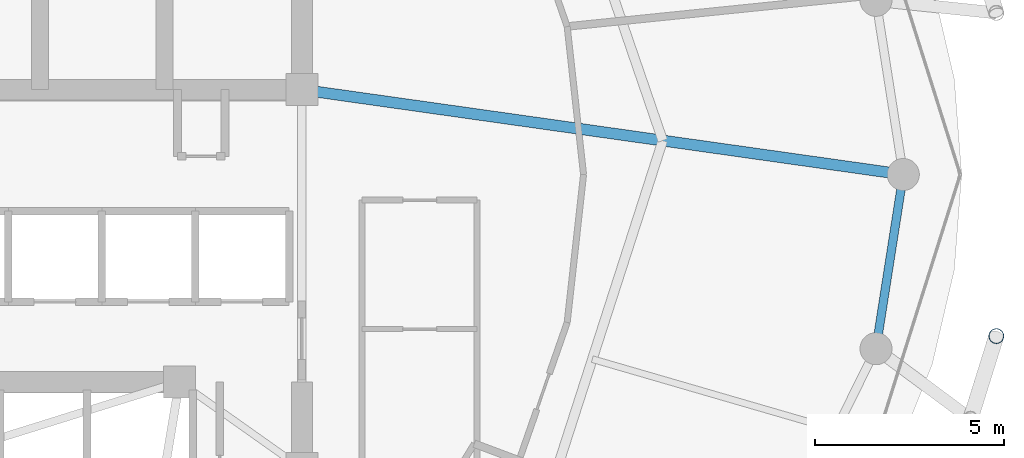
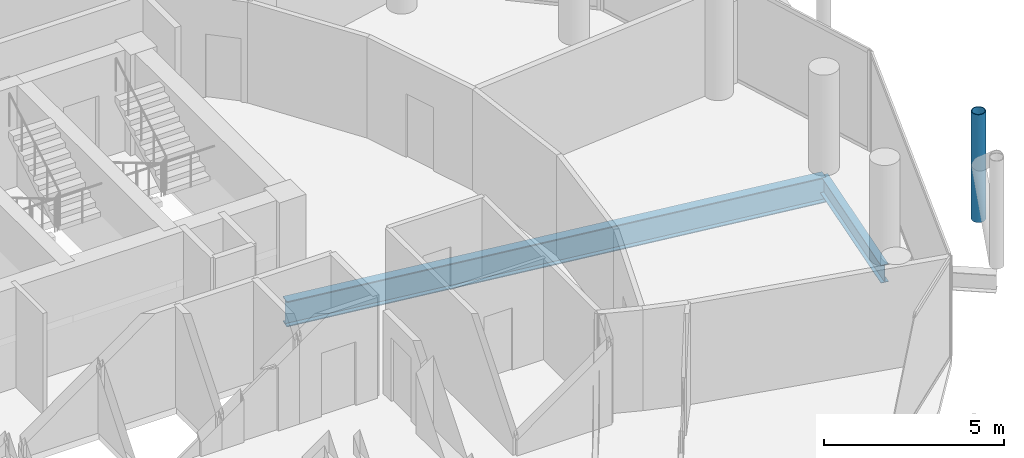
# One storey, part 14 of 27: 2 beams, 1 member.
"""IFC4 building model written with IfcOpenShell, lengths in metres."""

import ifcopenshell
import ifcopenshell.guid

model = None  # the IFC model being written
_history = None  # IfcOwnerHistory: only IFC2X3 demands one
_inside = {}  # id of a spatial element -> (the spatial element, [elements in it])
_under = {}  # id of a project, library or spatial element -> (it, [spatial elements below it])
_declared = {}  # id of a project -> (the project, [libraries it declares])
_typed = {}  # id of a type object -> (the type object, [elements of that type])
_made_of = {}  # id of a material, layer set ... -> (it, [elements and type objects made of it])


def new_model(schema):
    """Start an empty IFC model of exactly this schema.

    Asked for "IFC4X3", IfcOpenShell would pick the latest addendum, in which some entities
    have other attributes; the version numbers below select the first issue.
    IFC2X3 requires an IfcOwnerHistory on every rooted entity: one is made here for all.
    """
    global model, _history
    if schema == "IFC4X3":
        model = ifcopenshell.file(schema_version=(4, 3, 0, 0))
    else:
        model = ifcopenshell.file(schema=schema)
    _inside.clear()
    _under.clear()
    _declared.clear()
    _typed.clear()
    _made_of.clear()
    _history = None
    if model.schema == "IFC2X3":
        org = make("IfcOrganization", Name="unknown")
        user = make(
            "IfcPersonAndOrganization",
            ThePerson=make("IfcPerson", FamilyName="unknown"),
            TheOrganization=org,
        )
        app = make(
            "IfcApplication",
            ApplicationDeveloper=org,
            Version="unknown",
            ApplicationFullName="unknown",
            ApplicationIdentifier="unknown",
        )
        _history = make(
            "IfcOwnerHistory",
            OwningUser=user,
            OwningApplication=app,
            ChangeAction="ADDED",
            CreationDate=0,
        )
    return model


def make(cls, **values):
    """One entity of the class cls with the attributes given. An attribute that is None is left unset."""
    return model.create_entity(
        cls, **{name: value for name, value in values.items() if value is not None}
    )


def rooted(cls, **values):
    """An entity with a GlobalId (a new one), such as an element, a storey or a relation."""
    return make(cls, GlobalId=ifcopenshell.guid.new(), OwnerHistory=_history, **values)


def si_unit(unit_type, name, prefix=None):
    """IfcSIUnit, for example si_unit("LENGTHUNIT", "METRE", prefix="MILLI")."""
    return make("IfcSIUnit", UnitType=unit_type, Prefix=prefix, Name=name)


def assignment(units):
    """IfcUnitAssignment: the units of a project."""
    return None if units is None else make("IfcUnitAssignment", Units=units)


def point(xyz):
    """IfcCartesianPoint."""
    return None if xyz is None else make("IfcCartesianPoint", Coordinates=xyz)


def direction(xyz):
    """IfcDirection."""
    return None if xyz is None else make("IfcDirection", DirectionRatios=xyz)


def frame(location, z_axis=None, x_axis=None):
    """IfcAxis2Placement3D, a coordinate frame: its origin and axes. An axis left out is left unset."""
    return make(
        "IfcAxis2Placement3D",
        Location=point(location),
        Axis=direction(z_axis),
        RefDirection=direction(x_axis),
    )


def frame_2d(location, x_axis=None):
    """IfcAxis2Placement2D, a coordinate frame in the plane: its origin and x axis."""
    return make(
        "IfcAxis2Placement2D", Location=point(location), RefDirection=direction(x_axis)
    )


def origin():
    """The frame at (0, 0, 0) with its axes left unset."""
    return frame((0.0, 0.0, 0.0))


def origin_2d():
    """The frame at (0, 0) in the plane with its x axis left unset."""
    return frame_2d((0.0, 0.0))


def place(relative_to, where):
    """IfcLocalPlacement: puts the frame where relative to a parent placement (None: the world)."""
    return make(
        "IfcLocalPlacement", PlacementRelTo=relative_to, RelativePlacement=where
    )


def context(
    kind, dimensions, precision=None, world=None, true_north=None, identifier=None
):
    """IfcGeometricRepresentationContext, for example the 3D "Model" context."""
    return make(
        "IfcGeometricRepresentationContext",
        ContextIdentifier=identifier,
        ContextType=kind,
        CoordinateSpaceDimension=dimensions,
        Precision=precision,
        WorldCoordinateSystem=world,
        TrueNorth=true_north,
    )


def subcontext(parent, identifier, kind, view, scale=None):
    """IfcGeometricRepresentationSubContext, for example "Body" below "Model"."""
    return make(
        "IfcGeometricRepresentationSubContext",
        ContextIdentifier=identifier,
        ContextType=kind,
        ParentContext=parent,
        TargetScale=scale,
        TargetView=view,
    )


def project(units=None, contexts=None):
    """IfcProject with its units and contexts."""
    return rooted(
        "IfcProject",
        Name="project",
        RepresentationContexts=contexts,
        UnitsInContext=assignment(units),
    )


def spatial(cls, under=None, at=None, **own):
    """A site, building, storey or space (cls), placed at a placement, below another one or the project."""
    s = rooted(cls, ObjectPlacement=at, **own)
    if under is not None:
        _under.setdefault(under.id(), (under, []))[1].append(s)
    return s


def profile(cls, at=None, kind="AREA", **sizes):
    """A parametric profile (cls). Its sizes go by their IFC names, for example OverallWidth=200.0."""
    return make(cls, ProfileType=kind, Position=at, **sizes)


def hollow_circle(**sizes):
    """IfcCircleHollowProfileDef."""
    return profile("IfcCircleHollowProfileDef", **sizes)


def i_section(**sizes):
    """IfcIShapeProfileDef."""
    return profile("IfcIShapeProfileDef", **sizes)


def extrude(swept, where, along, depth):
    """IfcExtrudedAreaSolid: the profile swept, set in the frame where, extruded along a direction by depth."""
    return make(
        "IfcExtrudedAreaSolid",
        SweptArea=swept,
        Position=where,
        ExtrudedDirection=direction(along),
        Depth=depth,
    )


def shape(context_of_items, identifier, shape_type, items):
    """IfcShapeRepresentation: the items that make up one representation, for example the "Body"."""
    return make(
        "IfcShapeRepresentation",
        ContextOfItems=context_of_items,
        RepresentationIdentifier=identifier,
        RepresentationType=shape_type,
        Items=items,
    )


def material(Name=None, Category=None):
    """IfcMaterial."""
    return make("IfcMaterial", Name=Name, Category=Category)


def material_profile(
    of_material, cross_section, Name=None, Category=None, Priority=None
):
    """IfcMaterialProfile: a cross section and its material."""
    return make(
        "IfcMaterialProfile",
        Name=Name,
        Material=of_material,
        Profile=cross_section,
        Priority=Priority,
        Category=Category,
    )


def profile_set(profiles, Name=None, composite=None):
    """IfcMaterialProfileSet."""
    return make(
        "IfcMaterialProfileSet",
        Name=Name,
        MaterialProfiles=profiles,
        CompositeProfile=composite,
    )


def made_of(thing, what):
    """Note that an element or type object is made of a material, layer set ...; save() writes the relation."""
    if what is not None:
        _made_of.setdefault(what.id(), (what, []))[1].append(thing)
    return thing


def type_object(cls, material=None, **own):
    """A type object (cls), such as IfcWallType, which elements share."""
    return made_of(rooted(cls, **own), material)


def element(
    cls,
    number,
    at=None,
    inside=None,
    cuts=None,
    type_object=None,
    material=None,
    context=None,
    identifier="Body",
    shape_type=None,
    held_by="IfcProductDefinitionShape",
    body=None,
    shapes=None,
    **own,
):
    """One element of the class cls, such as IfcWall. Its Tag is "e" and its number.

    at: its placement. inside: the storey or other place that contains it. cuts: it is an
    opening in that element (IfcRelVoidsElement). A single representation is given by context,
    identifier, shape_type and body (its items); several are given by shapes. held_by: the class
    of the entity that holds the representations. save() writes the other relations.
    """
    e = rooted(cls, Tag="e%d" % number, ObjectPlacement=at, **own)
    if body is not None:
        shapes = [shape(context, identifier, shape_type, body)]
    if shapes is not None:
        e.Representation = make(held_by, Representations=shapes)
    if inside is not None:
        _inside.setdefault(inside.id(), (inside, []))[1].append(e)
    if cuts is not None:
        rooted(
            "IfcRelVoidsElement", RelatingBuildingElement=cuts, RelatedOpeningElement=e
        )
    if type_object is not None:
        _typed.setdefault(type_object.id(), (type_object, []))[1].append(e)
    return made_of(e, material)


def aggregate(whole, parts):
    """IfcRelAggregates: a whole, such as a stair, and the parts it consists of."""
    return rooted("IfcRelAggregates", RelatingObject=whole, RelatedObjects=parts)


def save(model, path):
    """Write the relations noted so far, then the file.

    IfcRelAggregates (storeys below a building ...), IfcRelContainedInSpatialStructure (elements
    in a storey), IfcRelDefinesByType, IfcRelAssociatesMaterial and IfcRelDeclares: one each for
    every whole, place, type object, material and project.
    """
    for whole, parts in _under.values():
        aggregate(whole, parts)
    for where, things in _inside.values():
        rooted(
            "IfcRelContainedInSpatialStructure",
            RelatedElements=things,
            RelatingStructure=where,
        )
    for kind, things in _typed.values():
        rooted("IfcRelDefinesByType", RelatedObjects=things, RelatingType=kind)
    for what, things in _made_of.values():
        rooted("IfcRelAssociatesMaterial", RelatedObjects=things, RelatingMaterial=what)
    for by, libraries in _declared.values():
        rooted("IfcRelDeclares", RelatingContext=by, RelatedDefinitions=libraries)
    model.write(path)


model = new_model("IFC4")

# Units and contexts
model_context = context("Model", 3, precision=1e-05, world=origin(), true_north=direction((0.0, 1.0)))
body_context = subcontext(model_context, "Body", "Model", "MODEL_VIEW")
ifc_project = project(units=[si_unit("LENGTHUNIT", "METRE"), si_unit("AREAUNIT", "SQUARE_METRE"), si_unit("VOLUMEUNIT", "CUBIC_METRE"), si_unit("PLANEANGLEUNIT", "RADIAN"), si_unit("MASSUNIT", "GRAM", prefix="KILO")], contexts=[model_context])

# Site, building, storey
site_placement = place(None, origin())
site = spatial("IfcSite", under=ifc_project, at=site_placement, CompositionType="ELEMENT")
building_placement = place(site_placement, origin())
building = spatial("IfcBuilding", under=site, at=building_placement, Name="Nuhasar Tower", CompositionType="ELEMENT")
storey_placement = place(building_placement, frame((0.0, 0.0, 211.800048828125)))
storey = spatial("IfcBuildingStorey", under=building, at=storey_placement, Name="L51", CompositionType="ELEMENT", Elevation=211.800048828125)

# Beams
ifc_material_1 = material(Name="Steel S355", Category="steel")
ifc_material_profile_1 = material_profile(ifc_material_1, i_section(OverallWidth=0.2919921875, OverallDepth=0.85888671875, WebThickness=0.01708984375, FlangeThickness=0.031005859375, at=origin_2d()), Name="W33X169")
ifc_profile_set_1 = profile_set([ifc_material_profile_1], Name="Steel S355")
beam_type_1 = type_object("IfcBeamType", Name="BM-POD-W33X169", PredefinedType="BEAM", material=ifc_profile_set_1)
beam_1_placement = place(storey_placement, frame((44.300048828125, 29.050048828125, -0.6689453125), z_axis=(0.990196233464, -0.139683281866, 0.0), x_axis=(0.139683281866, 0.990196233464, 0.0)))
element("IfcBeam", 1, at=beam_1_placement, inside=storey, type_object=beam_type_1, Name="L51 Radial Floor Girder 04", PredefinedType="BEAM", context=body_context, shape_type="SweptSolid", body=[
    extrude(i_section(OverallWidth=0.2919921875, OverallDepth=0.85888671875, WebThickness=0.01708984375, FlangeThickness=0.031005859375, at=origin_2d()), origin(), (0.0, 0.0, 1.0), 16.10791015625),
])
ifc_material_profile_2 = material_profile(ifc_material_1, i_section(OverallWidth=0.22802734375, OverallDepth=0.60791015625, WebThickness=0.01123046875, FlangeThickness=0.017333984375, at=origin_2d()), Name="W24X76")
ifc_profile_set_2 = profile_set([ifc_material_profile_2], Name="Steel S355")
beam_type_2 = type_object("IfcBeamType", Name="BM-RING-W24X76", PredefinedType="SPANDREL", material=ifc_profile_set_2)
beam_2_placement = place(storey_placement, frame((59.52587890625, 22.179931640625, -0.5439453125), z_axis=(0.154841886404, 0.987939264436, 0.0), x_axis=(-0.987939264436, 0.154841886404, 0.0)))
element("IfcBeam", 2, at=beam_2_placement, inside=storey, type_object=beam_type_2, Name="L51 Perimeter Ring Spandrel 24", PredefinedType="SPANDREL", context=body_context, shape_type="SweptSolid", body=[
    extrude(i_section(OverallWidth=0.22802734375, OverallDepth=0.60791015625, WebThickness=0.01123046875, FlangeThickness=0.017333984375, at=origin_2d()), origin(), (0.0, 0.0, 1.0), 4.676513671875),
])

# Member
ifc_material_2 = material(Name="Steel S460", Category="steel")
ifc_material_profile_3 = material_profile(ifc_material_2, hollow_circle(Radius=0.203125, WallThickness=0.01904296875, at=origin_2d()), Name="HSS406.4X19.1")
ifc_profile_set_3 = profile_set([ifc_material_profile_3], Name="Steel S460")
member_type = type_object("IfcMemberType", Name="EXO-BRONZE-406", PredefinedType="BRACE", material=ifc_profile_set_3)
member_placement = place(storey_placement, frame((62.718017578125, 22.513916015625, 0.0), z_axis=(0.0, 0.0, 1.0), x_axis=(1.0, 0.0, 0.0)))
element("IfcMember", 3, at=member_placement, inside=storey, type_object=member_type, Name="L51 Exoskeleton Chord Column EC-12B", PredefinedType="BRACE", context=body_context, shape_type="SweptSolid", body=[
    extrude(hollow_circle(Radius=0.203125, WallThickness=0.01904296875, at=origin_2d()), origin(), (0.0, 0.0, 1.0), 3.64990234375),
])

save(model, "model.ifc")
